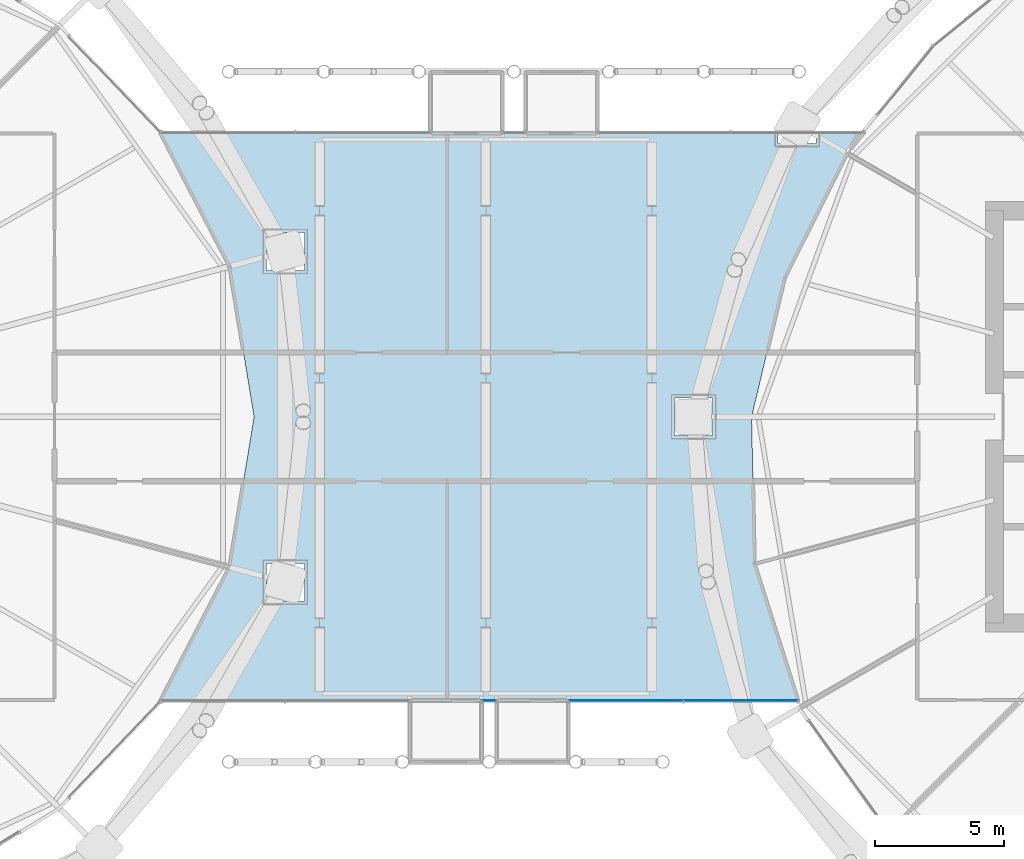
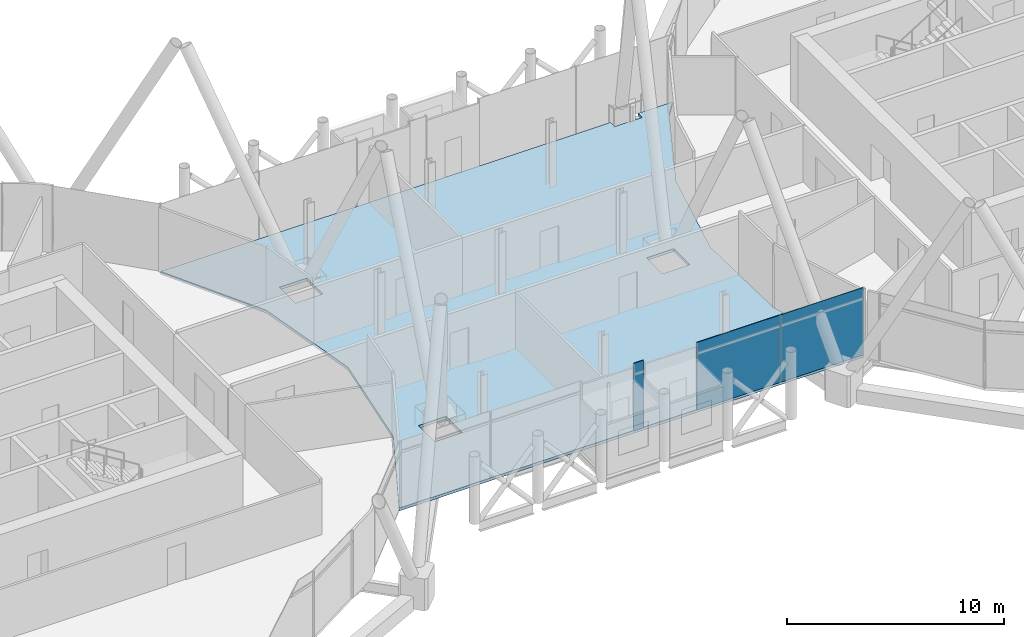
# One storey, part 21 of 35: 3 plates, 1 slab, 1 element without a shape of its own.
"""IFC4 building model written with IfcOpenShell, lengths in metres."""

from ifc_helpers import new_model, si_unit, direction, frame, origin, origin_2d, place, context, subcontext, project, spatial, polyline, rectangle, outline, extrude, material, layer, layer_set, type_object, element, aggregate, save


model = new_model("IFC4")

# Units and contexts
model_context = context("Model", 3, precision=1e-05, world=origin(), true_north=direction((0.0, 1.0)))
body_context = subcontext(model_context, "Body", "Model", "MODEL_VIEW")
ifc_project = project(units=[si_unit("LENGTHUNIT", "METRE"), si_unit("AREAUNIT", "SQUARE_METRE"), si_unit("VOLUMEUNIT", "CUBIC_METRE"), si_unit("PLANEANGLEUNIT", "RADIAN"), si_unit("MASSUNIT", "GRAM", prefix="KILO")], contexts=[model_context])

# Site, building, storey
site_placement = place(None, origin())
site = spatial("IfcSite", under=ifc_project, at=site_placement, CompositionType="ELEMENT")
building_placement = place(site_placement, origin())
building = spatial("IfcBuilding", under=site, at=building_placement, Name="Rimbun Link Towers", CompositionType="ELEMENT")
storey_placement = place(building_placement, frame((0.0, 0.0, 146.800048828125)))
storey = spatial("IfcBuildingStorey", under=building, at=storey_placement, Name="L35", CompositionType="ELEMENT", Elevation=146.800048828125)

# Curtain wall, plates
ifc_material_1 = material(Name="Aluminium 6063-T6 and low-iron glass", Category="aluminium")
curtain_wall_type = type_object("IfcCurtainWallType", Name="CW4 link block wall", PredefinedType="NOTDEFINED", material=ifc_material_1)
curtain_wall_placement = place(storey_placement, origin())
curtain_wall = element("IfcCurtainWall", 1, at=curtain_wall_placement, inside=storey, type_object=curtain_wall_type, Name="CW4 L35 LB", PredefinedType="NOTDEFINED")
ifc_material_2 = material(Name="Aluminium cladding, insulated panel", Category="aluminium")
ifc_layer_1 = layer(ifc_material_2, 0.028076171875)
ifc_layer_set_1 = layer_set([ifc_layer_1], Name="CW4 insulated panel Aluminium cladding 28")
plate_type_1 = type_object("IfcPlateType", Name="CW4 insulated panel Aluminium cladding 28", PredefinedType="CURTAIN_PANEL", material=ifc_layer_set_1)
plate_1_placement = place(storey_placement, frame((9.894287109375, -11.013916015625, 0.0), z_axis=(0.0, 0.0, 1.0), x_axis=(-1.0, 0.0, 0.0)))
plate_1 = element("IfcPlate", 2, at=plate_1_placement, type_object=plate_type_1, Name="CW4 insulated panel", PredefinedType="CURTAIN_PANEL", context=body_context, shape_type="SweptSolid", body=[
    extrude(rectangle(XDim=4.4140625, YDim=0.028076171875, at=origin_2d()), origin(), (0.0, 0.0, 1.0), 3.800048828125),
])
ifc_material_3 = material(Name="Low-iron glass, laminated low-e unit", Category="glass")
ifc_layer_2 = layer(ifc_material_3, 0.028076171875)
ifc_layer_set_2 = layer_set([ifc_layer_2], Name="CW4 panel Low-iron glass 28")
plate_type_2 = type_object("IfcPlateType", Name="CW4 panel Low-iron glass 28", PredefinedType="CURTAIN_PANEL", material=ifc_layer_set_2)
plate_2_placement = place(storey_placement, frame((5.4404296875, -11.013916015625, 0.0), z_axis=(0.0, 0.0, 1.0), x_axis=(-1.0, 0.0, 0.0)))
plate_2 = element("IfcPlate", 3, at=plate_2_placement, type_object=plate_type_2, Name="CW4 panel", PredefinedType="CURTAIN_PANEL", context=body_context, shape_type="SweptSolid", body=[
    extrude(rectangle(XDim=4.4140625, YDim=0.028076171875, at=origin_2d()), origin(), (0.0, 0.0, 1.0), 3.800048828125),
])
plate_3_placement = place(storey_placement, frame((0.12890625, -11.013916015625, 0.0), z_axis=(0.0, 0.0, 1.0), x_axis=(-1.0, 0.0, 0.0)))
plate_3 = element("IfcPlate", 4, at=plate_3_placement, type_object=plate_type_2, Name="CW4 panel", PredefinedType="CURTAIN_PANEL", context=body_context, shape_type="SweptSolid", body=[
    extrude(rectangle(XDim=0.529052734375, YDim=0.028076171875, at=origin_2d()), origin(), (0.0, 0.0, 1.0), 3.800048828125),
])
aggregate(curtain_wall, [plate_1, plate_2, plate_3])

# Slab
ifc_material_4 = material(Name="Concrete C40/50", Category="concrete")
ifc_layer_3 = layer(ifc_material_4, 0.159912109375)
ifc_layer_set_3 = layer_set([ifc_layer_3], Name="Link composite floor slab")
slab_type = type_object("IfcSlabType", Name="Link composite floor slab", PredefinedType="FLOOR", material=ifc_layer_set_3)
slab_placement = place(storey_placement, frame((0.0, 0.0, -0.16015625)))
element("IfcSlab", 5, at=slab_placement, inside=storey, type_object=slab_type, Name="Link floor slab L35", PredefinedType="FLOOR", context=body_context, shape_type="SweptSolid", body=[
    extrude(outline(polyline([(-9.956787109375, -5.839599609375), (-8.99658203125, 0.0), (-9.956787109375, 5.839599609375), (-12.626953125, 11.0), (11.351806640625, 11.0), (11.351806640625, 10.617431640625), (12.822021484375, 10.617431640625), (12.822021484375, 11.0), (14.66064453125, 11.0), (14.035400390625, 10.2275390625), (11.609375, 5.396728515625), (10.31884765625, 0.0), (10.439208984375, -5.710205078125), (12.121337890625, -11.0), (-12.626953125, -11.0), (-9.956787109375, -5.839599609375)]), holes=[polyline([(-7.04833984375, -7.15673828125), (-7.04833984375, -5.686767578125), (-8.518310546875, -5.686767578125), (-8.518310546875, -7.15673828125), (-7.04833984375, -7.15673828125)]), polyline([(8.8037109375, -0.735107421875), (8.8037109375, 0.735107421875), (7.333740234375, 0.735107421875), (7.333740234375, -0.735107421875), (8.8037109375, -0.735107421875)]), polyline([(-7.04833984375, 5.686767578125), (-7.04833984375, 7.15673828125), (-8.518310546875, 7.15673828125), (-8.518310546875, 5.686767578125), (-7.04833984375, 5.686767578125)])]), origin(), (0.0, 0.0, 1.0), 0.16015625),
])

save(model, "model.ifc")
